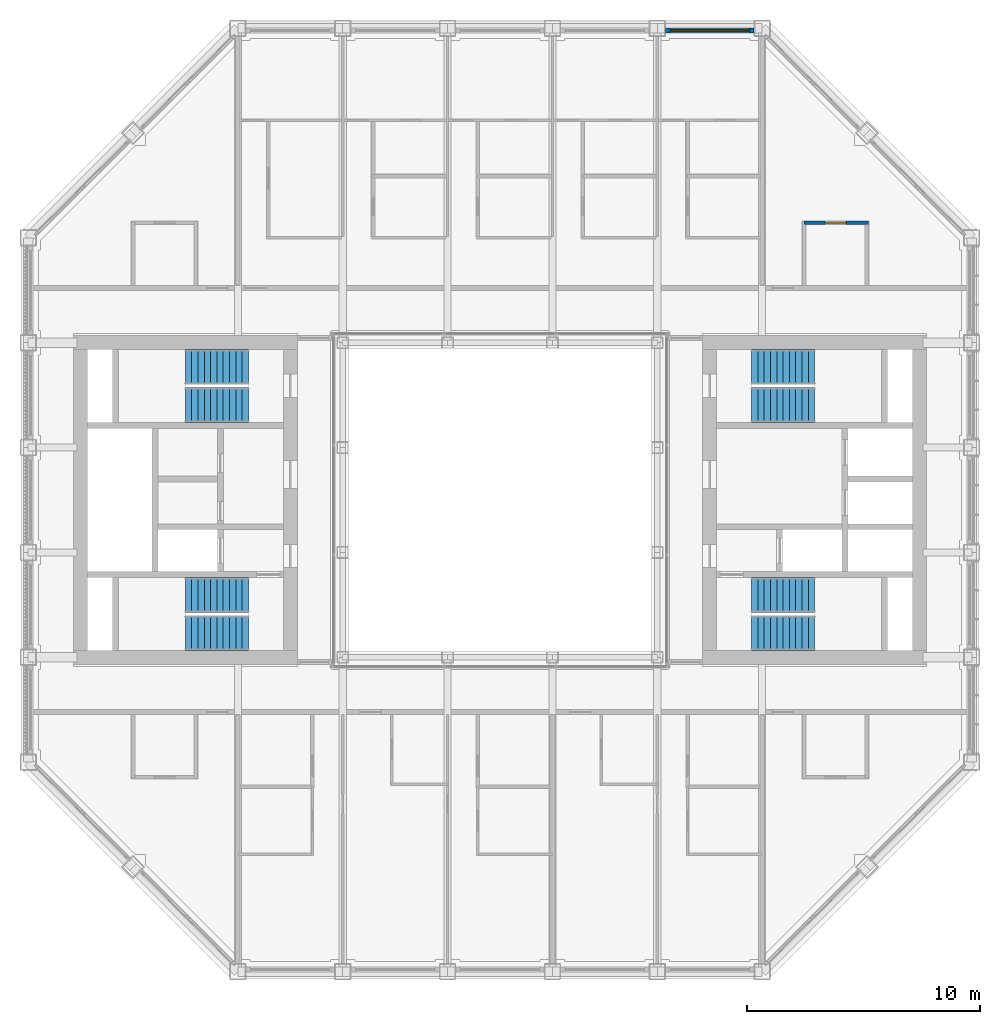
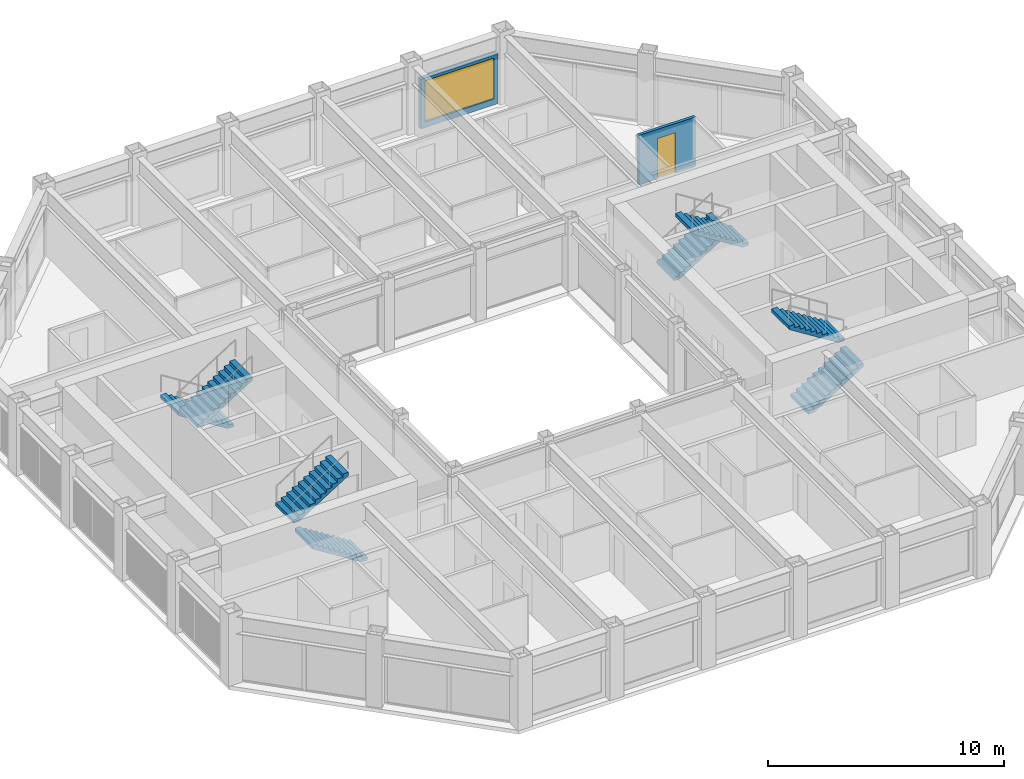
# One storey, part 13 of 17: 8 stair flights, 2 walls, 1 door, 1 window, 2 openings, 4 elements without a shape of their own.
"""IFC4 building model written with IfcOpenShell, lengths in metres."""

from ifc_helpers import new_model, si_unit, direction, frame, frame_2d, origin, place, context, subcontext, project, spatial, polyline, rectangle, outline, extrude, material, layer, layer_set, type_object, element, fill, aggregate, save


model = new_model("IFC4")

# Units and contexts
model_context = context("Model", 3, precision=1e-05, world=origin(), true_north=direction((0.0, 1.0)))
body_context = subcontext(model_context, "Body", "Model", "MODEL_VIEW")
ifc_project = project(units=[si_unit("LENGTHUNIT", "METRE"), si_unit("AREAUNIT", "SQUARE_METRE"), si_unit("VOLUMEUNIT", "CUBIC_METRE"), si_unit("PLANEANGLEUNIT", "RADIAN"), si_unit("MASSUNIT", "GRAM", prefix="KILO")], contexts=[model_context])

# Site, building, storey
site_placement = place(None, origin())
site = spatial("IfcSite", under=ifc_project, at=site_placement, CompositionType="ELEMENT")
building_placement = place(site_placement, origin())
building = spatial("IfcBuilding", under=site, at=building_placement, Name="Msasa Ring Tower", CompositionType="ELEMENT")
storey_placement = place(building_placement, frame((0.0, 0.0, 253.300048828125)))
storey = spatial("IfcBuildingStorey", under=building, at=storey_placement, Name="L66", CompositionType="ELEMENT", Elevation=253.300048828125)

# Wall, opening, window
ifc_material_1 = material(Name="Terracotta rainscreen on blockwork", Category="masonry")
ifc_layer_1 = layer(ifc_material_1, 0.199951171875)
ifc_layer_set_1 = layer_set([ifc_layer_1], Name="FW1 TERRACOTTA-LINED INFILL BAY WALL 200")
wall_type_1 = type_object("IfcWallType", Name="FW1 TERRACOTTA-LINED INFILL BAY WALL 200", PredefinedType="SOLIDWALL", material=ifc_layer_set_1)
wall_1_placement = place(storey_placement, frame((7.10498046875, 20.14990234375, 0.0), z_axis=(0.0, 0.0, 1.0), x_axis=(1.0, 0.0, 0.0)))
wall_1 = element("IfcWall", 1, at=wall_1_placement, inside=storey, type_object=wall_type_1, Name="Infill bay wall N L66 18", PredefinedType="SOLIDWALL", context=body_context, shape_type="SweptSolid", body=[
    extrude(rectangle(XDim=3.7900390625, YDim=0.199951171875, at=frame_2d((1.89501953125, 0.0))), origin(), (0.0, 0.0, 1.0), 2.578857421875),
])
opening_1_placement = place(wall_1_placement, frame((0.195068359375, 0.0, 0.300048828125)))
opening_1 = element("IfcOpeningElement", 2, at=opening_1_placement, cuts=wall_1, Name="Opening WN8", PredefinedType="OPENING", context=body_context, shape_type="SweptSolid", body=[
    extrude(rectangle(XDim=3.39990234375, YDim=2.12890625, at=frame_2d((1.699951171875, 1.064453125))), frame((0.0, 0.10986328125, 0.0), z_axis=(0.0, -1.0, 0.0), x_axis=(1.0, 0.0, 0.0)), (0.0, 0.0, 1.0), 0.219970703125),
])
ifc_material_2 = material(Name="Aluminium frame with clear glass", Category="aluminium")
window_type = type_object("IfcWindowType", Name="WN8 SUITE WINDOW 3400x2129", PartitioningType="SINGLE_PANEL", PredefinedType="WINDOW", material=ifc_material_2)
window_placement = place(opening_1_placement, origin())
window = element("IfcWindow", 3, at=window_placement, inside=storey, type_object=window_type, Name="Window N L66 18", OverallHeight=2.12890625, OverallWidth=3.39990234375, PartitioningType="SINGLE_PANEL", PredefinedType="WINDOW", context=body_context, shape_type="SweptSolid", body=[
    extrude(rectangle(XDim=3.39990234375, YDim=2.12890625, at=frame_2d((1.699951171875, 1.064453125))), frame((0.0, 0.030029296875, 0.0), z_axis=(0.0, -1.0, 0.0), x_axis=(1.0, 0.0, 0.0)), (0.0, 0.0, 1.0), 0.06005859375),
])
fill(opening_1, window)

# Wall, opening, door
ifc_material_3 = material(Name="Moisture-resistant board on steel studs with a concealed cistern and pipe void, tiled", Category="steel")
ifc_layer_2 = layer(ifc_material_3, 0.14990234375)
ifc_layer_set_2 = layer_set([ifc_layer_2], Name="PT4 BATHROOM WET WALL 150")
wall_type_2 = type_object("IfcWallType", Name="PT4 BATHROOM WET WALL 150", PredefinedType="PARTITIONING", material=ifc_layer_set_2)
wall_2_placement = place(storey_placement, frame((13.050048828125, 11.89990234375, 0.0), z_axis=(0.0, 0.0, 1.0), x_axis=(1.0, 0.0, 0.0)))
wall_2 = element("IfcWall", 4, at=wall_2_placement, inside=storey, type_object=wall_type_2, Name="Partition L66-CSNEBY", PredefinedType="PARTITIONING", context=body_context, shape_type="SweptSolid", body=[
    extrude(rectangle(XDim=2.77490234375, YDim=0.14990234375, at=frame_2d((1.387451171875, 0.0))), origin(), (0.0, 0.0, 1.0), 2.5732421875),
])
opening_2_placement = place(wall_2_placement, frame((0.89990234375, 0.0, 0.0)))
opening_2 = element("IfcOpeningElement", 5, at=opening_2_placement, cuts=wall_2, Name="Opening SE-016", PredefinedType="OPENING", context=body_context, shape_type="SweptSolid", body=[
    extrude(rectangle(XDim=0.89990234375, YDim=2.10009765625, at=frame_2d((0.449951171875, 1.050048828125))), frame((0.0, 0.0849609375, 0.0), z_axis=(0.0, -1.0, 0.0), x_axis=(1.0, 0.0, 0.0)), (0.0, 0.0, 1.0), 0.169921875),
])
ifc_material_4 = material(Name="Timber door leaf in a steel frame", Category="steel")
door_type = type_object("IfcDoorType", Name="D3 BATHROOM DOOR 900x2100", OperationType="SINGLE_SWING_LEFT", PredefinedType="DOOR", material=ifc_material_4)
door_placement = place(opening_2_placement, origin())
door = element("IfcDoor", 6, at=door_placement, inside=storey, type_object=door_type, Name="Door L66-CSNEB1", OperationType="SINGLE_SWING_LEFT", OverallHeight=2.10009765625, OverallWidth=0.89990234375, PredefinedType="DOOR", context=body_context, shape_type="SweptSolid", body=[
    extrude(rectangle(XDim=0.89990234375, YDim=2.10009765625, at=frame_2d((0.449951171875, 1.050048828125))), frame((0.0, 0.02490234375, 0.0), z_axis=(0.0, -1.0, 0.0), x_axis=(1.0, 0.0, 0.0)), (0.0, 0.0, 1.0), 0.050048828125),
])
fill(opening_2, door)

# Stair, stair flights
ifc_material_5 = material(Name="Concrete C40/50", Category="concrete")
stair_type = type_object("IfcStairType", Name="STC CORE STAIR 22 RISERS 170.5", PredefinedType="HALF_TURN_STAIR", material=ifc_material_5)
stair_1_placement = place(storey_placement, origin())
stair_1 = element("IfcStair", 7, at=stair_1_placement, inside=storey, type_object=stair_type, Name="Core stair SEA L66", PredefinedType="HALF_TURN_STAIR")
ifc_material_6 = material(Name="Concrete C40/50", Category="concrete")
stair_flight_type = type_object("IfcStairFlightType", Name="ST11 CORE STAIR FLIGHT 1500 11 RISERS 170.5", PredefinedType="STRAIGHT", material=ifc_material_6)
stair_flight_1_placement = place(storey_placement, frame((10.800048828125, -5.699951171875, 0.0), z_axis=(0.0, 0.0, 1.0), x_axis=(1.0, 0.0, 0.0)))
stair_flight_1 = element("IfcStairFlight", 8, at=stair_flight_1_placement, type_object=stair_flight_type, Name="SEA flight 1", NumberOfRisers=11, NumberOfTreads=10, PredefinedType="STRAIGHT", RiserHeight=0.170454545, TreadLength=0.27, context=body_context, shape_type="SweptSolid", body=[
    extrude(outline(polyline([(0.0, 0.0), (0.0, 0.17041015625), (0.27001953125, 0.17041015625), (0.27001953125, 0.3408203125), (0.5400390625, 0.3408203125), (0.5400390625, 0.511474609375), (0.81005859375, 0.511474609375), (0.81005859375, 0.681884765625), (1.080078125, 0.681884765625), (1.080078125, 0.852294921875), (1.35009765625, 0.852294921875), (1.35009765625, 1.022705078125), (1.6201171875, 1.022705078125), (1.6201171875, 1.193115234375), (1.889892578125, 1.193115234375), (1.889892578125, 1.363525390625), (2.159912109375, 1.363525390625), (2.159912109375, 1.5341796875), (2.429931640625, 1.5341796875), (2.429931640625, 1.70458984375), (2.699951171875, 1.70458984375), (2.699951171875, 1.875), (2.699951171875, 1.52734375), (0.28076171875, 0.0), (0.0, 0.0)])), frame((0.0, 0.75, 0.0), z_axis=(0.0, -1.0, 0.0), x_axis=(1.0, 0.0, 0.0)), (0.0, 0.0, 1.0), 1.5),
])
stair_flight_2_placement = place(storey_placement, frame((13.5, -4.074951171875, 1.875), z_axis=(0.0, 0.0, 1.0), x_axis=(-1.0, 0.0, 0.0)))
stair_flight_2 = element("IfcStairFlight", 9, at=stair_flight_2_placement, type_object=stair_flight_type, Name="SEA flight 2", NumberOfRisers=11, NumberOfTreads=10, PredefinedType="STRAIGHT", RiserHeight=0.170454545, TreadLength=0.27, context=body_context, shape_type="SweptSolid", body=[
    extrude(outline(polyline([(0.0, 0.0), (0.0, 0.17041015625), (0.27001953125, 0.17041015625), (0.27001953125, 0.3408203125), (0.5400390625, 0.3408203125), (0.5400390625, 0.511474609375), (0.81005859375, 0.511474609375), (0.81005859375, 0.681884765625), (1.080078125, 0.681884765625), (1.080078125, 0.852294921875), (1.35009765625, 0.852294921875), (1.35009765625, 1.022705078125), (1.6201171875, 1.022705078125), (1.6201171875, 1.193115234375), (1.889892578125, 1.193115234375), (1.889892578125, 1.363525390625), (2.159912109375, 1.363525390625), (2.159912109375, 1.5341796875), (2.429931640625, 1.5341796875), (2.429931640625, 1.70458984375), (2.699951171875, 1.70458984375), (2.699951171875, 1.875), (2.699951171875, 1.52734375), (0.28076171875, 0.0), (0.0, 0.0)])), frame((0.0, 0.75, 0.0), z_axis=(0.0, -1.0, 0.0), x_axis=(1.0, 0.0, 0.0)), (0.0, 0.0, 1.0), 1.5),
])
aggregate(stair_1, [stair_flight_1, stair_flight_2])

stair_2_placement = place(storey_placement, origin())
stair_2 = element("IfcStair", 10, at=stair_2_placement, inside=storey, type_object=stair_type, Name="Core stair SEB L66", PredefinedType="HALF_TURN_STAIR")
stair_flight_3_placement = place(storey_placement, frame((10.800048828125, 5.699951171875, 0.0), z_axis=(0.0, 0.0, 1.0), x_axis=(1.0, 0.0, 0.0)))
stair_flight_3 = element("IfcStairFlight", 11, at=stair_flight_3_placement, type_object=stair_flight_type, Name="SEB flight 1", NumberOfRisers=11, NumberOfTreads=10, PredefinedType="STRAIGHT", RiserHeight=0.170454545, TreadLength=0.27, context=body_context, shape_type="SweptSolid", body=[
    extrude(outline(polyline([(0.0, 0.0), (0.0, 0.17041015625), (0.27001953125, 0.17041015625), (0.27001953125, 0.3408203125), (0.5400390625, 0.3408203125), (0.5400390625, 0.511474609375), (0.81005859375, 0.511474609375), (0.81005859375, 0.681884765625), (1.080078125, 0.681884765625), (1.080078125, 0.852294921875), (1.35009765625, 0.852294921875), (1.35009765625, 1.022705078125), (1.6201171875, 1.022705078125), (1.6201171875, 1.193115234375), (1.889892578125, 1.193115234375), (1.889892578125, 1.363525390625), (2.159912109375, 1.363525390625), (2.159912109375, 1.5341796875), (2.429931640625, 1.5341796875), (2.429931640625, 1.70458984375), (2.699951171875, 1.70458984375), (2.699951171875, 1.875), (2.699951171875, 1.52734375), (0.28076171875, 0.0), (0.0, 0.0)])), frame((0.0, 0.75, 0.0), z_axis=(0.0, -1.0, 0.0), x_axis=(1.0, 0.0, 0.0)), (0.0, 0.0, 1.0), 1.5),
])
stair_flight_4_placement = place(storey_placement, frame((13.5, 4.074951171875, 1.875), z_axis=(0.0, 0.0, 1.0), x_axis=(-1.0, 0.0, 0.0)))
stair_flight_4 = element("IfcStairFlight", 12, at=stair_flight_4_placement, type_object=stair_flight_type, Name="SEB flight 2", NumberOfRisers=11, NumberOfTreads=10, PredefinedType="STRAIGHT", RiserHeight=0.170454545, TreadLength=0.27, context=body_context, shape_type="SweptSolid", body=[
    extrude(outline(polyline([(0.0, 0.0), (0.0, 0.17041015625), (0.27001953125, 0.17041015625), (0.27001953125, 0.3408203125), (0.5400390625, 0.3408203125), (0.5400390625, 0.511474609375), (0.81005859375, 0.511474609375), (0.81005859375, 0.681884765625), (1.080078125, 0.681884765625), (1.080078125, 0.852294921875), (1.35009765625, 0.852294921875), (1.35009765625, 1.022705078125), (1.6201171875, 1.022705078125), (1.6201171875, 1.193115234375), (1.889892578125, 1.193115234375), (1.889892578125, 1.363525390625), (2.159912109375, 1.363525390625), (2.159912109375, 1.5341796875), (2.429931640625, 1.5341796875), (2.429931640625, 1.70458984375), (2.699951171875, 1.70458984375), (2.699951171875, 1.875), (2.699951171875, 1.52734375), (0.28076171875, 0.0), (0.0, 0.0)])), frame((0.0, 0.75, 0.0), z_axis=(0.0, -1.0, 0.0), x_axis=(1.0, 0.0, 0.0)), (0.0, 0.0, 1.0), 1.5),
])
aggregate(stair_2, [stair_flight_3, stair_flight_4])

stair_3_placement = place(storey_placement, origin())
stair_3 = element("IfcStair", 13, at=stair_3_placement, inside=storey, type_object=stair_type, Name="Core stair SWA L66", PredefinedType="HALF_TURN_STAIR")
stair_flight_5_placement = place(storey_placement, frame((-10.800048828125, -5.699951171875, 0.0), z_axis=(0.0, 0.0, 1.0), x_axis=(-1.0, 0.0, 0.0)))
stair_flight_5 = element("IfcStairFlight", 14, at=stair_flight_5_placement, type_object=stair_flight_type, Name="SWA flight 1", NumberOfRisers=11, NumberOfTreads=10, PredefinedType="STRAIGHT", RiserHeight=0.170454545, TreadLength=0.27, context=body_context, shape_type="SweptSolid", body=[
    extrude(outline(polyline([(0.0, 0.0), (0.0, 0.17041015625), (0.27001953125, 0.17041015625), (0.27001953125, 0.3408203125), (0.5400390625, 0.3408203125), (0.5400390625, 0.511474609375), (0.81005859375, 0.511474609375), (0.81005859375, 0.681884765625), (1.080078125, 0.681884765625), (1.080078125, 0.852294921875), (1.35009765625, 0.852294921875), (1.35009765625, 1.022705078125), (1.6201171875, 1.022705078125), (1.6201171875, 1.193115234375), (1.889892578125, 1.193115234375), (1.889892578125, 1.363525390625), (2.159912109375, 1.363525390625), (2.159912109375, 1.5341796875), (2.429931640625, 1.5341796875), (2.429931640625, 1.70458984375), (2.699951171875, 1.70458984375), (2.699951171875, 1.875), (2.699951171875, 1.52734375), (0.28076171875, 0.0), (0.0, 0.0)])), frame((0.0, 0.75, 0.0), z_axis=(0.0, -1.0, 0.0), x_axis=(1.0, 0.0, 0.0)), (0.0, 0.0, 1.0), 1.5),
])
stair_flight_6_placement = place(storey_placement, frame((-13.5, -4.074951171875, 1.875), z_axis=(0.0, 0.0, 1.0), x_axis=(1.0, 0.0, 0.0)))
stair_flight_6 = element("IfcStairFlight", 15, at=stair_flight_6_placement, type_object=stair_flight_type, Name="SWA flight 2", NumberOfRisers=11, NumberOfTreads=10, PredefinedType="STRAIGHT", RiserHeight=0.170454545, TreadLength=0.27, context=body_context, shape_type="SweptSolid", body=[
    extrude(outline(polyline([(0.0, 0.0), (0.0, 0.17041015625), (0.27001953125, 0.17041015625), (0.27001953125, 0.3408203125), (0.5400390625, 0.3408203125), (0.5400390625, 0.511474609375), (0.81005859375, 0.511474609375), (0.81005859375, 0.681884765625), (1.080078125, 0.681884765625), (1.080078125, 0.852294921875), (1.35009765625, 0.852294921875), (1.35009765625, 1.022705078125), (1.6201171875, 1.022705078125), (1.6201171875, 1.193115234375), (1.889892578125, 1.193115234375), (1.889892578125, 1.363525390625), (2.159912109375, 1.363525390625), (2.159912109375, 1.5341796875), (2.429931640625, 1.5341796875), (2.429931640625, 1.70458984375), (2.699951171875, 1.70458984375), (2.699951171875, 1.875), (2.699951171875, 1.52734375), (0.28076171875, 0.0), (0.0, 0.0)])), frame((0.0, 0.75, 0.0), z_axis=(0.0, -1.0, 0.0), x_axis=(1.0, 0.0, 0.0)), (0.0, 0.0, 1.0), 1.5),
])
aggregate(stair_3, [stair_flight_5, stair_flight_6])

stair_4_placement = place(storey_placement, origin())
stair_4 = element("IfcStair", 16, at=stair_4_placement, inside=storey, type_object=stair_type, Name="Core stair SWB L66", PredefinedType="HALF_TURN_STAIR")
stair_flight_7_placement = place(storey_placement, frame((-10.800048828125, 5.699951171875, 0.0), z_axis=(0.0, 0.0, 1.0), x_axis=(-1.0, 0.0, 0.0)))
stair_flight_7 = element("IfcStairFlight", 17, at=stair_flight_7_placement, type_object=stair_flight_type, Name="SWB flight 1", NumberOfRisers=11, NumberOfTreads=10, PredefinedType="STRAIGHT", RiserHeight=0.170454545, TreadLength=0.27, context=body_context, shape_type="SweptSolid", body=[
    extrude(outline(polyline([(0.0, 0.0), (0.0, 0.17041015625), (0.27001953125, 0.17041015625), (0.27001953125, 0.3408203125), (0.5400390625, 0.3408203125), (0.5400390625, 0.511474609375), (0.81005859375, 0.511474609375), (0.81005859375, 0.681884765625), (1.080078125, 0.681884765625), (1.080078125, 0.852294921875), (1.35009765625, 0.852294921875), (1.35009765625, 1.022705078125), (1.6201171875, 1.022705078125), (1.6201171875, 1.193115234375), (1.889892578125, 1.193115234375), (1.889892578125, 1.363525390625), (2.159912109375, 1.363525390625), (2.159912109375, 1.5341796875), (2.429931640625, 1.5341796875), (2.429931640625, 1.70458984375), (2.699951171875, 1.70458984375), (2.699951171875, 1.875), (2.699951171875, 1.52734375), (0.28076171875, 0.0), (0.0, 0.0)])), frame((0.0, 0.75, 0.0), z_axis=(0.0, -1.0, 0.0), x_axis=(1.0, 0.0, 0.0)), (0.0, 0.0, 1.0), 1.5),
])
stair_flight_8_placement = place(storey_placement, frame((-13.5, 4.074951171875, 1.875), z_axis=(0.0, 0.0, 1.0), x_axis=(1.0, 0.0, 0.0)))
stair_flight_8 = element("IfcStairFlight", 18, at=stair_flight_8_placement, type_object=stair_flight_type, Name="SWB flight 2", NumberOfRisers=11, NumberOfTreads=10, PredefinedType="STRAIGHT", RiserHeight=0.170454545, TreadLength=0.27, context=body_context, shape_type="SweptSolid", body=[
    extrude(outline(polyline([(0.0, 0.0), (0.0, 0.17041015625), (0.27001953125, 0.17041015625), (0.27001953125, 0.3408203125), (0.5400390625, 0.3408203125), (0.5400390625, 0.511474609375), (0.81005859375, 0.511474609375), (0.81005859375, 0.681884765625), (1.080078125, 0.681884765625), (1.080078125, 0.852294921875), (1.35009765625, 0.852294921875), (1.35009765625, 1.022705078125), (1.6201171875, 1.022705078125), (1.6201171875, 1.193115234375), (1.889892578125, 1.193115234375), (1.889892578125, 1.363525390625), (2.159912109375, 1.363525390625), (2.159912109375, 1.5341796875), (2.429931640625, 1.5341796875), (2.429931640625, 1.70458984375), (2.699951171875, 1.70458984375), (2.699951171875, 1.875), (2.699951171875, 1.52734375), (0.28076171875, 0.0), (0.0, 0.0)])), frame((0.0, 0.75, 0.0), z_axis=(0.0, -1.0, 0.0), x_axis=(1.0, 0.0, 0.0)), (0.0, 0.0, 1.0), 1.5),
])
aggregate(stair_4, [stair_flight_7, stair_flight_8])

save(model, "model.ifc")
